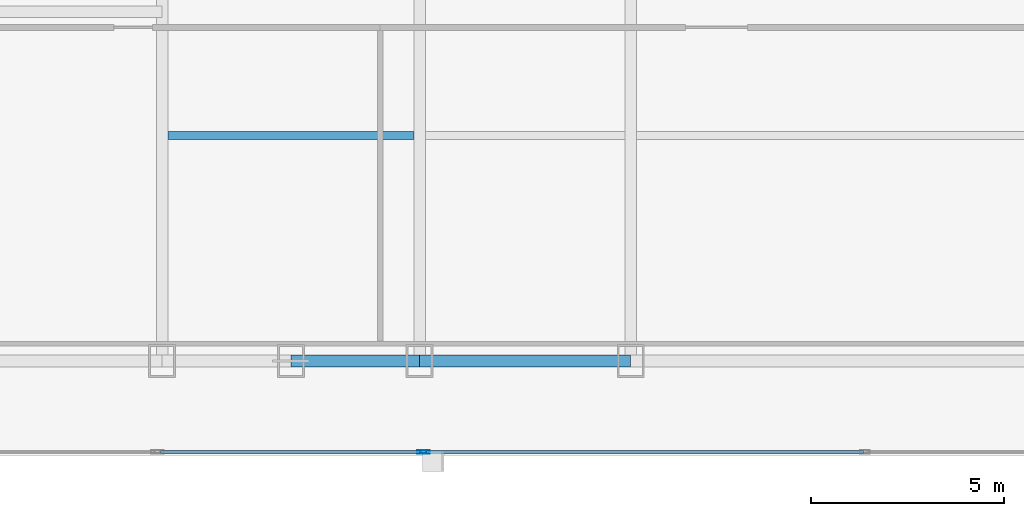
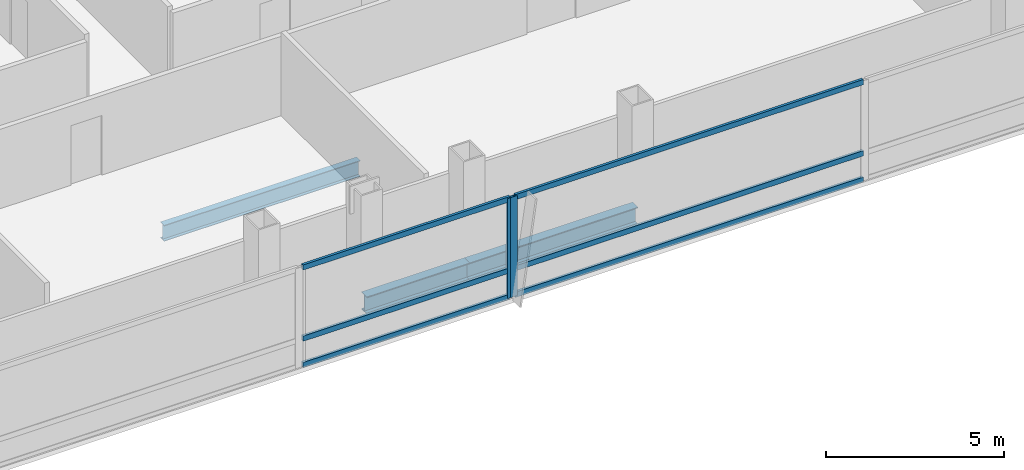
# One storey, part 8 of 33: 8 members, 3 beams, 2 elements without a shape of their own.
"""IFC4 building model written with IfcOpenShell, lengths in metres."""

from ifc_helpers import new_model, si_unit, direction, frame, origin, origin_2d, place, context, subcontext, project, spatial, hollow_rectangle, i_section, extrude, material, material_profile, profile_set, type_object, element, aggregate, save


model = new_model("IFC4")

# Units and contexts
model_context = context("Model", 3, precision=1e-05, world=origin(), true_north=direction((0.0, 1.0)))
body_context = subcontext(model_context, "Body", "Model", "MODEL_VIEW")
ifc_project = project(units=[si_unit("LENGTHUNIT", "METRE"), si_unit("AREAUNIT", "SQUARE_METRE"), si_unit("VOLUMEUNIT", "CUBIC_METRE"), si_unit("PLANEANGLEUNIT", "RADIAN"), si_unit("MASSUNIT", "GRAM", prefix="KILO")], contexts=[model_context])

# Site, building, storey
site_placement = place(None, origin())
site = spatial("IfcSite", under=ifc_project, at=site_placement, CompositionType="ELEMENT")
building_placement = place(site_placement, origin())
building = spatial("IfcBuilding", under=site, at=building_placement, Name="Khoronbel Lancet Exchange", CompositionType="ELEMENT")
storey_placement = place(building_placement, frame((0.0, 0.0, 114.60009765625)))
storey = spatial("IfcBuildingStorey", under=building, at=storey_placement, Name="L27", CompositionType="ELEMENT", Elevation=114.60009765625)

# Beams
ifc_material_1 = material(Name="Steel S355", Category="steel")
ifc_material_profile_1 = material_profile(ifc_material_1, i_section(OverallWidth=0.2099609375, OverallDepth=0.550048828125, WebThickness=0.010986328125, FlangeThickness=0.01708984375, at=origin_2d()), Name="IPE 550")
ifc_profile_set_1 = profile_set([ifc_material_profile_1], Name="Steel S355")
beam_type_1 = type_object("IfcBeamType", Name="BM-BJ2", PredefinedType="JOIST", material=ifc_profile_set_1)
beam_1_placement = place(storey_placement, frame((18.375, 16.0, -0.43505859375), z_axis=(1.0, 0.0, 0.0), x_axis=(0.0, 1.0, 0.0)))
element("IfcBeam", 1, at=beam_1_placement, inside=storey, type_object=beam_type_1, Name="Level L27 secondary composite joist J01", PredefinedType="JOIST", context=body_context, shape_type="SweptSolid", body=[
    extrude(i_section(OverallWidth=0.2099609375, OverallDepth=0.550048828125, WebThickness=0.010986328125, FlangeThickness=0.01708984375, at=origin_2d()), origin(), (0.0, 0.0, 1.0), 6.375),
])
ifc_material_profile_2 = material_profile(ifc_material_1, i_section(OverallWidth=0.300048828125, OverallDepth=0.60009765625, WebThickness=0.015380859375, FlangeThickness=0.030029296875, at=origin_2d()), Name="HEB 600")
ifc_profile_set_2 = profile_set([ifc_material_profile_2], Name="Steel S355")
beam_type_2 = type_object("IfcBeamType", Name="BM-BSP2", PredefinedType="SPANDREL", material=ifc_profile_set_2)
beam_2_placement = place(storey_placement, frame((21.5625, 10.14990234375, -0.460205078125), z_axis=(1.0, 0.0, 0.0), x_axis=(0.0, 1.0, 0.0)))
element("IfcBeam", 2, at=beam_2_placement, inside=storey, type_object=beam_type_2, Name="Level L27 perimeter spandrel beam SP03", PredefinedType="SPANDREL", context=body_context, shape_type="SweptSolid", body=[
    extrude(i_section(OverallWidth=0.300048828125, OverallDepth=0.60009765625, WebThickness=0.015380859375, FlangeThickness=0.030029296875, at=origin_2d()), origin(), (0.0, 0.0, 1.0), 3.33740234375),
])
beam_3_placement = place(storey_placement, frame((24.89990234375, 10.14990234375, -0.460205078125), z_axis=(1.0, 0.0, 0.0), x_axis=(0.0, 1.0, 0.0)))
element("IfcBeam", 3, at=beam_3_placement, inside=storey, type_object=beam_type_2, Name="Level L27 perimeter spandrel beam SP04", PredefinedType="SPANDREL", context=body_context, shape_type="SweptSolid", body=[
    extrude(i_section(OverallWidth=0.300048828125, OverallDepth=0.60009765625, WebThickness=0.015380859375, FlangeThickness=0.030029296875, at=origin_2d()), origin(), (0.0, 0.0, 1.0), 5.47509765625),
])

# Curtain wall, member
ifc_material_2 = material(Name="Low-E Solar Control Insulating Glass", Category="glass")
curtain_wall_type = type_object("IfcCurtainWallType", Name="CW-2", PredefinedType="NOTDEFINED", material=ifc_material_2)
curtain_wall_1_placement = place(storey_placement, origin())
curtain_wall_1 = element("IfcCurtainWall", 4, at=curtain_wall_1_placement, inside=storey, type_object=curtain_wall_type, Name="Unitised curtain wall CW-L27-SWB", PredefinedType="NOTDEFINED")
ifc_material_3 = material(Name="Bronze-Anodised Aluminium 6063-T6", Category="aluminium")
ifc_material_profile_3 = material_profile(ifc_material_3, hollow_rectangle(XDim=0.0849609375, YDim=0.239990234375, WallThickness=0.006103515625, at=origin_2d()), Name="ALU MULLION 85x240")
ifc_profile_set_3 = profile_set([ifc_material_profile_3], Name="Bronze-Anodised Aluminium 6063-T6")
member_type_1 = type_object("IfcMemberType", Name="MEM-CWM1", PredefinedType="MULLION", material=ifc_profile_set_3)
member_1_placement = place(storey_placement, frame((24.95751953125, 7.7900390625, 0.0), z_axis=(0.0, 0.0, 1.0), x_axis=(0.0, 1.0, 0.0)))
member_1 = element("IfcMember", 5, at=member_1_placement, type_object=member_type_1, Name="CW2 mullion 2", PredefinedType="MULLION", context=body_context, shape_type="SweptSolid", body=[
    extrude(hollow_rectangle(XDim=0.0849609375, YDim=0.239990234375, WallThickness=0.006103515625, at=origin_2d()), origin(), (0.0, 0.0, 1.0), 3.43994140625),
])

curtain_wall_2_placement = place(storey_placement, origin())
curtain_wall_2 = element("IfcCurtainWall", 6, at=curtain_wall_2_placement, inside=storey, type_object=curtain_wall_type, Name="Unitised curtain wall CW-L27-SCV", PredefinedType="NOTDEFINED")
member_2_placement = place(storey_placement, frame((25.04248046875, 7.7900390625, 0.0), z_axis=(0.0, 0.0, 1.0), x_axis=(0.0, 1.0, 0.0)))
member_2 = element("IfcMember", 7, at=member_2_placement, type_object=member_type_1, Name="CW2 mullion 1", PredefinedType="MULLION", context=body_context, shape_type="SweptSolid", body=[
    extrude(hollow_rectangle(XDim=0.0849609375, YDim=0.239990234375, WallThickness=0.006103515625, at=origin_2d()), origin(), (0.0, 0.0, 1.0), 3.43994140625),
])

# Member
ifc_material_profile_4 = material_profile(ifc_material_3, hollow_rectangle(XDim=0.0849609375, YDim=0.179931640625, WallThickness=0.0048828125, at=origin_2d()), Name="ALU TRANSOM 85x180")
ifc_profile_set_4 = profile_set([ifc_material_profile_4], Name="Bronze-Anodised Aluminium 6063-T6")
member_type_2 = type_object("IfcMemberType", Name="MEM-CWT1", PredefinedType="USERDEFINED", material=ifc_profile_set_4)
member_3_placement = place(storey_placement, frame((18.18505859375, 7.7900390625, 0.04248046875), z_axis=(1.0, 0.0, 0.0), x_axis=(0.0, 1.0, 0.0)))
member_3 = element("IfcMember", 8, at=member_3_placement, type_object=member_type_2, Name="CW2 transom 1.1", ObjectType="TRANSOM", PredefinedType="USERDEFINED", context=body_context, shape_type="SweptSolid", body=[
    extrude(hollow_rectangle(XDim=0.0849609375, YDim=0.179931640625, WallThickness=0.0048828125, at=origin_2d()), origin(), (0.0, 0.0, 1.0), 6.72998046875),
])

member_4_placement = place(storey_placement, frame((18.18505859375, 7.7900390625, 0.949951171875), z_axis=(1.0, 0.0, 0.0), x_axis=(0.0, 1.0, 0.0)))
member_4 = element("IfcMember", 9, at=member_4_placement, type_object=member_type_2, Name="CW2 transom 1.2", ObjectType="TRANSOM", PredefinedType="USERDEFINED", context=body_context, shape_type="SweptSolid", body=[
    extrude(hollow_rectangle(XDim=0.0849609375, YDim=0.179931640625, WallThickness=0.0048828125, at=origin_2d()), origin(), (0.0, 0.0, 1.0), 6.72998046875),
])

member_5_placement = place(storey_placement, frame((18.18505859375, 7.7900390625, 3.3974609375), z_axis=(1.0, 0.0, 0.0), x_axis=(0.0, 1.0, 0.0)))
member_5 = element("IfcMember", 10, at=member_5_placement, type_object=member_type_2, Name="CW2 transom 1.3", ObjectType="TRANSOM", PredefinedType="USERDEFINED", context=body_context, shape_type="SweptSolid", body=[
    extrude(hollow_rectangle(XDim=0.0849609375, YDim=0.179931640625, WallThickness=0.0048828125, at=origin_2d()), origin(), (0.0, 0.0, 1.0), 6.72998046875),
])

aggregate(curtain_wall_1, [member_1, member_3, member_4, member_5])

member_6_placement = place(storey_placement, frame((25.0849609375, 7.7900390625, 0.04248046875), z_axis=(1.0, 0.0, 0.0), x_axis=(0.0, 1.0, 0.0)))
member_6 = element("IfcMember", 11, at=member_6_placement, type_object=member_type_2, Name="CW2 transom 1.1", ObjectType="TRANSOM", PredefinedType="USERDEFINED", context=body_context, shape_type="SweptSolid", body=[
    extrude(hollow_rectangle(XDim=0.0849609375, YDim=0.179931640625, WallThickness=0.0048828125, at=origin_2d()), origin(), (0.0, 0.0, 1.0), 11.322509765625),
])

member_7_placement = place(storey_placement, frame((25.0849609375, 7.7900390625, 0.949951171875), z_axis=(1.0, 0.0, 0.0), x_axis=(0.0, 1.0, 0.0)))
member_7 = element("IfcMember", 12, at=member_7_placement, type_object=member_type_2, Name="CW2 transom 1.2", ObjectType="TRANSOM", PredefinedType="USERDEFINED", context=body_context, shape_type="SweptSolid", body=[
    extrude(hollow_rectangle(XDim=0.0849609375, YDim=0.179931640625, WallThickness=0.0048828125, at=origin_2d()), origin(), (0.0, 0.0, 1.0), 11.322509765625),
])

member_8_placement = place(storey_placement, frame((25.0849609375, 7.7900390625, 3.3974609375), z_axis=(1.0, 0.0, 0.0), x_axis=(0.0, 1.0, 0.0)))
member_8 = element("IfcMember", 13, at=member_8_placement, type_object=member_type_2, Name="CW2 transom 1.3", ObjectType="TRANSOM", PredefinedType="USERDEFINED", context=body_context, shape_type="SweptSolid", body=[
    extrude(hollow_rectangle(XDim=0.0849609375, YDim=0.179931640625, WallThickness=0.0048828125, at=origin_2d()), origin(), (0.0, 0.0, 1.0), 11.322509765625),
])

aggregate(curtain_wall_2, [member_2, member_6, member_7, member_8])

save(model, "model.ifc")
